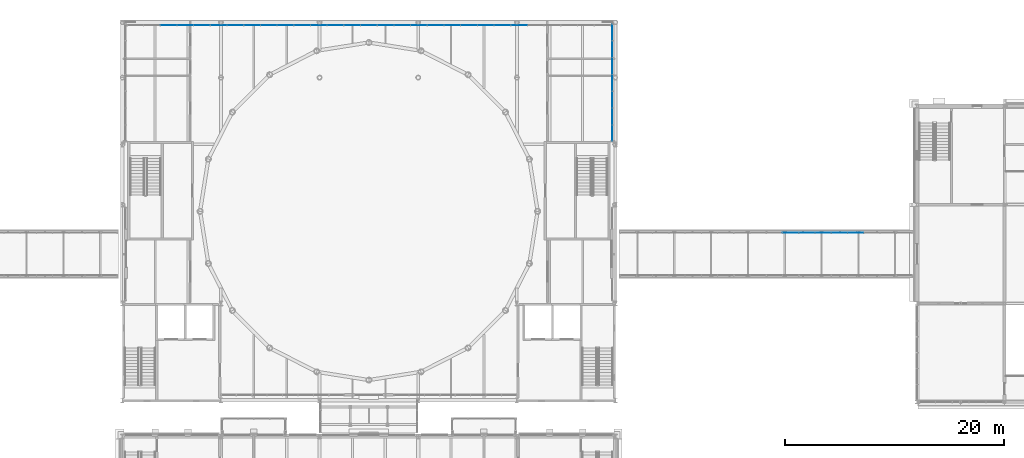
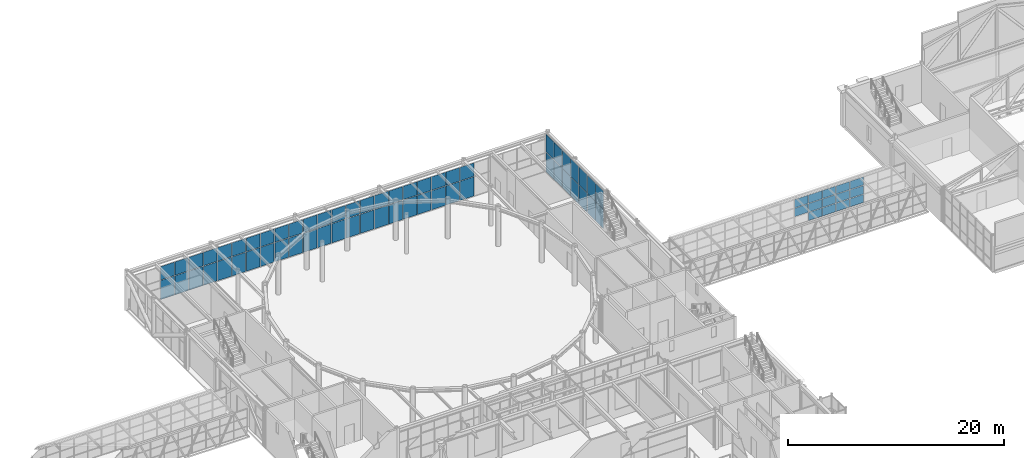
# One storey, part 84 of 149: 72 plates, 3 elements without a shape of their own.
"""IFC4 building model written with IfcOpenShell, lengths in metres."""

from ifc_helpers import new_model, si_unit, direction, frame, origin, origin_2d, place, context, subcontext, project, spatial, rectangle, extrude, material, layer, layer_set, type_object, element, aggregate, save


model = new_model("IFC4")

# Units and contexts
model_context = context("Model", 3, precision=1e-05, world=origin(), true_north=direction((0.0, 1.0)))
body_context = subcontext(model_context, "Body", "Model", "MODEL_VIEW")
ifc_project = project(units=[si_unit("LENGTHUNIT", "METRE"), si_unit("AREAUNIT", "SQUARE_METRE"), si_unit("VOLUMEUNIT", "CUBIC_METRE"), si_unit("PLANEANGLEUNIT", "RADIAN"), si_unit("MASSUNIT", "GRAM", prefix="KILO")], contexts=[model_context])

# Site, building, storey
site_placement = place(None, origin())
site = spatial("IfcSite", under=ifc_project, at=site_placement, CompositionType="ELEMENT")
building_placement = place(site_placement, origin())
building = spatial("IfcBuilding", under=site, at=building_placement, Name="Kallimachos Central Library", CompositionType="ELEMENT")
storey_placement = place(building_placement, frame((0.0, 0.0, 9.89990234375)))
storey = spatial("IfcBuildingStorey", under=building, at=storey_placement, Name="L02", CompositionType="ELEMENT", Elevation=9.89990234375)

# Curtain wall, plates
ifc_material_1 = material(Name="Anodised aluminium and laminated glass", Category="aluminium")
ifc_layer_1 = layer(ifc_material_1, 0.159912109375)
ifc_layer_set_1 = layer_set([ifc_layer_1], Name="Glass box curtain wall")
curtain_wall_type_1 = type_object("IfcCurtainWallType", Name="Glass box curtain wall", PredefinedType="NOTDEFINED", material=ifc_layer_set_1)
curtain_wall_1_placement = place(storey_placement, origin())
curtain_wall_1 = element("IfcCurtainWall", 1, at=curtain_wall_1_placement, inside=storey, type_object=curtain_wall_type_1, Name="Glass box curtain wall E L02", PredefinedType="NOTDEFINED")
ifc_material_2 = material(Name="Laminated glass", Category="glass")
ifc_layer_2 = layer(ifc_material_2, 0.028076171875)
ifc_layer_set_2 = layer_set([ifc_layer_2], Name="Laminated glass panel 28")
plate_type = type_object("IfcPlateType", Name="Laminated glass panel 28", PredefinedType="CURTAIN_PANEL", material=ifc_layer_set_2)
plate_1_placement = place(storey_placement, frame((110.199951171875, 111.532958984375, 0.06005859375), z_axis=(0.0, 0.0, 1.0), x_axis=(0.0, 1.0, 0.0)))
plate_1 = element("IfcPlate", 2, at=plate_1_placement, type_object=plate_type, Name="CW19 panel 1.1", PredefinedType="CURTAIN_PANEL", context=body_context, shape_type="SweptSolid", body=[
    extrude(rectangle(XDim=1.44580078125, YDim=0.028076171875, at=origin_2d()), origin(), (0.0, 0.0, 1.0), 2.159912109375),
])
plate_2_placement = place(storey_placement, frame((110.199951171875, 111.532958984375, 2.2802734375), z_axis=(0.0, 0.0, 1.0), x_axis=(0.0, 1.0, 0.0)))
plate_2 = element("IfcPlate", 3, at=plate_2_placement, type_object=plate_type, Name="CW19 panel 1.2", PredefinedType="CURTAIN_PANEL", context=body_context, shape_type="SweptSolid", body=[
    extrude(rectangle(XDim=1.44580078125, YDim=0.028076171875, at=origin_2d()), origin(), (0.0, 0.0, 1.0), 2.010009765625),
])
plate_3_placement = place(storey_placement, frame((110.199951171875, 113.053466796875, 0.06005859375), z_axis=(0.0, 0.0, 1.0), x_axis=(0.0, 1.0, 0.0)))
plate_3 = element("IfcPlate", 4, at=plate_3_placement, type_object=plate_type, Name="CW19 panel 2.1", PredefinedType="CURTAIN_PANEL", context=body_context, shape_type="SweptSolid", body=[
    extrude(rectangle(XDim=1.475830078125, YDim=0.028076171875, at=origin_2d()), origin(), (0.0, 0.0, 1.0), 2.159912109375),
])
plate_4_placement = place(storey_placement, frame((110.199951171875, 113.053466796875, 2.2802734375), z_axis=(0.0, 0.0, 1.0), x_axis=(0.0, 1.0, 0.0)))
plate_4 = element("IfcPlate", 5, at=plate_4_placement, type_object=plate_type, Name="CW19 panel 2.2", PredefinedType="CURTAIN_PANEL", context=body_context, shape_type="SweptSolid", body=[
    extrude(rectangle(XDim=1.475830078125, YDim=0.028076171875, at=origin_2d()), origin(), (0.0, 0.0, 1.0), 2.010009765625),
])
plate_5_placement = place(storey_placement, frame((110.199951171875, 114.58935546875, 0.06005859375), z_axis=(0.0, 0.0, 1.0), x_axis=(0.0, 1.0, 0.0)))
plate_5 = element("IfcPlate", 6, at=plate_5_placement, type_object=plate_type, Name="CW19 panel 3.1", PredefinedType="CURTAIN_PANEL", context=body_context, shape_type="SweptSolid", body=[
    extrude(rectangle(XDim=1.475830078125, YDim=0.028076171875, at=origin_2d()), origin(), (0.0, 0.0, 1.0), 2.159912109375),
])
plate_6_placement = place(storey_placement, frame((110.199951171875, 114.58935546875, 2.2802734375), z_axis=(0.0, 0.0, 1.0), x_axis=(0.0, 1.0, 0.0)))
plate_6 = element("IfcPlate", 7, at=plate_6_placement, type_object=plate_type, Name="CW19 panel 3.2", PredefinedType="CURTAIN_PANEL", context=body_context, shape_type="SweptSolid", body=[
    extrude(rectangle(XDim=1.475830078125, YDim=0.028076171875, at=origin_2d()), origin(), (0.0, 0.0, 1.0), 2.010009765625),
])
plate_7_placement = place(storey_placement, frame((110.199951171875, 116.125, 0.06005859375), z_axis=(0.0, 0.0, 1.0), x_axis=(0.0, 1.0, 0.0)))
plate_7 = element("IfcPlate", 8, at=plate_7_placement, type_object=plate_type, Name="CW19 panel 4.1", PredefinedType="CURTAIN_PANEL", context=body_context, shape_type="SweptSolid", body=[
    extrude(rectangle(XDim=1.475830078125, YDim=0.028076171875, at=origin_2d()), origin(), (0.0, 0.0, 1.0), 2.159912109375),
])
plate_8_placement = place(storey_placement, frame((110.199951171875, 116.125, 2.2802734375), z_axis=(0.0, 0.0, 1.0), x_axis=(0.0, 1.0, 0.0)))
plate_8 = element("IfcPlate", 9, at=plate_8_placement, type_object=plate_type, Name="CW19 panel 4.2", PredefinedType="CURTAIN_PANEL", context=body_context, shape_type="SweptSolid", body=[
    extrude(rectangle(XDim=1.475830078125, YDim=0.028076171875, at=origin_2d()), origin(), (0.0, 0.0, 1.0), 2.010009765625),
])
plate_9_placement = place(storey_placement, frame((110.199951171875, 117.66064453125, 0.06005859375), z_axis=(0.0, 0.0, 1.0), x_axis=(0.0, 1.0, 0.0)))
plate_9 = element("IfcPlate", 10, at=plate_9_placement, type_object=plate_type, Name="CW19 panel 5.1", PredefinedType="CURTAIN_PANEL", context=body_context, shape_type="SweptSolid", body=[
    extrude(rectangle(XDim=1.475830078125, YDim=0.028076171875, at=origin_2d()), origin(), (0.0, 0.0, 1.0), 2.159912109375),
])
plate_10_placement = place(storey_placement, frame((110.199951171875, 117.66064453125, 2.2802734375), z_axis=(0.0, 0.0, 1.0), x_axis=(0.0, 1.0, 0.0)))
plate_10 = element("IfcPlate", 11, at=plate_10_placement, type_object=plate_type, Name="CW19 panel 5.2", PredefinedType="CURTAIN_PANEL", context=body_context, shape_type="SweptSolid", body=[
    extrude(rectangle(XDim=1.475830078125, YDim=0.028076171875, at=origin_2d()), origin(), (0.0, 0.0, 1.0), 2.010009765625),
])
plate_11_placement = place(storey_placement, frame((110.199951171875, 119.196533203125, 0.06005859375), z_axis=(0.0, 0.0, 1.0), x_axis=(0.0, 1.0, 0.0)))
plate_11 = element("IfcPlate", 12, at=plate_11_placement, type_object=plate_type, Name="CW19 panel 6.1", PredefinedType="CURTAIN_PANEL", context=body_context, shape_type="SweptSolid", body=[
    extrude(rectangle(XDim=1.475830078125, YDim=0.028076171875, at=origin_2d()), origin(), (0.0, 0.0, 1.0), 2.159912109375),
])
plate_12_placement = place(storey_placement, frame((110.199951171875, 119.196533203125, 2.2802734375), z_axis=(0.0, 0.0, 1.0), x_axis=(0.0, 1.0, 0.0)))
plate_12 = element("IfcPlate", 13, at=plate_12_placement, type_object=plate_type, Name="CW19 panel 6.2", PredefinedType="CURTAIN_PANEL", context=body_context, shape_type="SweptSolid", body=[
    extrude(rectangle(XDim=1.475830078125, YDim=0.028076171875, at=origin_2d()), origin(), (0.0, 0.0, 1.0), 2.010009765625),
])
plate_13_placement = place(storey_placement, frame((110.199951171875, 120.717041015625, 0.06005859375), z_axis=(0.0, 0.0, 1.0), x_axis=(0.0, 1.0, 0.0)))
plate_13 = element("IfcPlate", 14, at=plate_13_placement, type_object=plate_type, Name="CW19 panel 7.1", PredefinedType="CURTAIN_PANEL", context=body_context, shape_type="SweptSolid", body=[
    extrude(rectangle(XDim=1.44580078125, YDim=0.028076171875, at=origin_2d()), origin(), (0.0, 0.0, 1.0), 2.159912109375),
])
plate_14_placement = place(storey_placement, frame((110.199951171875, 120.717041015625, 2.2802734375), z_axis=(0.0, 0.0, 1.0), x_axis=(0.0, 1.0, 0.0)))
plate_14 = element("IfcPlate", 15, at=plate_14_placement, type_object=plate_type, Name="CW19 panel 7.2", PredefinedType="CURTAIN_PANEL", context=body_context, shape_type="SweptSolid", body=[
    extrude(rectangle(XDim=1.44580078125, YDim=0.028076171875, at=origin_2d()), origin(), (0.0, 0.0, 1.0), 2.010009765625),
])
aggregate(curtain_wall_1, [plate_1, plate_2, plate_3, plate_4, plate_5, plate_6, plate_7, plate_8, plate_9, plate_10, plate_11, plate_12, plate_13, plate_14])

curtain_wall_2_placement = place(storey_placement, origin())
curtain_wall_2 = element("IfcCurtainWall", 16, at=curtain_wall_2_placement, inside=storey, type_object=curtain_wall_type_1, Name="Glass box curtain wall N L02", PredefinedType="NOTDEFINED")
plate_15_placement = place(storey_placement, frame((69.726806640625, 121.3798828125, 0.06005859375), z_axis=(0.0, 0.0, 1.0), x_axis=(1.0, 0.0, 0.0)))
plate_15 = element("IfcPlate", 17, at=plate_15_placement, type_object=plate_type, Name="CW20 panel 3.1", PredefinedType="CURTAIN_PANEL", context=body_context, shape_type="SweptSolid", body=[
    extrude(rectangle(XDim=1.462646484375, YDim=0.028076171875, at=origin_2d()), origin(), (0.0, 0.0, 1.0), 2.159912109375),
])
plate_16_placement = place(storey_placement, frame((69.726806640625, 121.3798828125, 2.2802734375), z_axis=(0.0, 0.0, 1.0), x_axis=(1.0, 0.0, 0.0)))
plate_16 = element("IfcPlate", 18, at=plate_16_placement, type_object=plate_type, Name="CW20 panel 3.2", PredefinedType="CURTAIN_PANEL", context=body_context, shape_type="SweptSolid", body=[
    extrude(rectangle(XDim=1.462646484375, YDim=0.028076171875, at=origin_2d()), origin(), (0.0, 0.0, 1.0), 1.510009765625),
])
plate_17_placement = place(storey_placement, frame((71.249755859375, 121.3798828125, 0.06005859375), z_axis=(0.0, 0.0, 1.0), x_axis=(1.0, 0.0, 0.0)))
plate_17 = element("IfcPlate", 19, at=plate_17_placement, type_object=plate_type, Name="CW20 panel 4.1", PredefinedType="CURTAIN_PANEL", context=body_context, shape_type="SweptSolid", body=[
    extrude(rectangle(XDim=1.462646484375, YDim=0.028076171875, at=origin_2d()), origin(), (0.0, 0.0, 1.0), 2.159912109375),
])
plate_18_placement = place(storey_placement, frame((71.249755859375, 121.3798828125, 2.2802734375), z_axis=(0.0, 0.0, 1.0), x_axis=(1.0, 0.0, 0.0)))
plate_18 = element("IfcPlate", 20, at=plate_18_placement, type_object=plate_type, Name="CW20 panel 4.2", PredefinedType="CURTAIN_PANEL", context=body_context, shape_type="SweptSolid", body=[
    extrude(rectangle(XDim=1.462646484375, YDim=0.028076171875, at=origin_2d()), origin(), (0.0, 0.0, 1.0), 1.510009765625),
])
plate_19_placement = place(storey_placement, frame((72.7724609375, 121.3798828125, 0.06005859375), z_axis=(0.0, 0.0, 1.0), x_axis=(1.0, 0.0, 0.0)))
plate_19 = element("IfcPlate", 21, at=plate_19_placement, type_object=plate_type, Name="CW20 panel 5.1", PredefinedType="CURTAIN_PANEL", context=body_context, shape_type="SweptSolid", body=[
    extrude(rectangle(XDim=1.462646484375, YDim=0.028076171875, at=origin_2d()), origin(), (0.0, 0.0, 1.0), 2.159912109375),
])
plate_20_placement = place(storey_placement, frame((72.7724609375, 121.3798828125, 2.2802734375), z_axis=(0.0, 0.0, 1.0), x_axis=(1.0, 0.0, 0.0)))
plate_20 = element("IfcPlate", 22, at=plate_20_placement, type_object=plate_type, Name="CW20 panel 5.2", PredefinedType="CURTAIN_PANEL", context=body_context, shape_type="SweptSolid", body=[
    extrude(rectangle(XDim=1.462646484375, YDim=0.028076171875, at=origin_2d()), origin(), (0.0, 0.0, 1.0), 1.510009765625),
])
plate_21_placement = place(storey_placement, frame((74.295166015625, 121.3798828125, 0.06005859375), z_axis=(0.0, 0.0, 1.0), x_axis=(1.0, 0.0, 0.0)))
plate_21 = element("IfcPlate", 23, at=plate_21_placement, type_object=plate_type, Name="CW20 panel 6.1", PredefinedType="CURTAIN_PANEL", context=body_context, shape_type="SweptSolid", body=[
    extrude(rectangle(XDim=1.462646484375, YDim=0.028076171875, at=origin_2d()), origin(), (0.0, 0.0, 1.0), 2.159912109375),
])
plate_22_placement = place(storey_placement, frame((74.295166015625, 121.3798828125, 2.2802734375), z_axis=(0.0, 0.0, 1.0), x_axis=(1.0, 0.0, 0.0)))
plate_22 = element("IfcPlate", 24, at=plate_22_placement, type_object=plate_type, Name="CW20 panel 6.2", PredefinedType="CURTAIN_PANEL", context=body_context, shape_type="SweptSolid", body=[
    extrude(rectangle(XDim=1.462646484375, YDim=0.028076171875, at=origin_2d()), origin(), (0.0, 0.0, 1.0), 1.510009765625),
])
plate_23_placement = place(storey_placement, frame((75.81787109375, 121.3798828125, 0.06005859375), z_axis=(0.0, 0.0, 1.0), x_axis=(1.0, 0.0, 0.0)))
plate_23 = element("IfcPlate", 25, at=plate_23_placement, type_object=plate_type, Name="CW20 panel 7.1", PredefinedType="CURTAIN_PANEL", context=body_context, shape_type="SweptSolid", body=[
    extrude(rectangle(XDim=1.462646484375, YDim=0.028076171875, at=origin_2d()), origin(), (0.0, 0.0, 1.0), 2.159912109375),
])
plate_24_placement = place(storey_placement, frame((75.81787109375, 121.3798828125, 2.2802734375), z_axis=(0.0, 0.0, 1.0), x_axis=(1.0, 0.0, 0.0)))
plate_24 = element("IfcPlate", 26, at=plate_24_placement, type_object=plate_type, Name="CW20 panel 7.2", PredefinedType="CURTAIN_PANEL", context=body_context, shape_type="SweptSolid", body=[
    extrude(rectangle(XDim=1.462646484375, YDim=0.028076171875, at=origin_2d()), origin(), (0.0, 0.0, 1.0), 1.510009765625),
])
plate_25_placement = place(storey_placement, frame((77.340576171875, 121.3798828125, 0.06005859375), z_axis=(0.0, 0.0, 1.0), x_axis=(1.0, 0.0, 0.0)))
plate_25 = element("IfcPlate", 27, at=plate_25_placement, type_object=plate_type, Name="CW20 panel 8.1", PredefinedType="CURTAIN_PANEL", context=body_context, shape_type="SweptSolid", body=[
    extrude(rectangle(XDim=1.462646484375, YDim=0.028076171875, at=origin_2d()), origin(), (0.0, 0.0, 1.0), 2.159912109375),
])
plate_26_placement = place(storey_placement, frame((77.340576171875, 121.3798828125, 2.2802734375), z_axis=(0.0, 0.0, 1.0), x_axis=(1.0, 0.0, 0.0)))
plate_26 = element("IfcPlate", 28, at=plate_26_placement, type_object=plate_type, Name="CW20 panel 8.2", PredefinedType="CURTAIN_PANEL", context=body_context, shape_type="SweptSolid", body=[
    extrude(rectangle(XDim=1.462646484375, YDim=0.028076171875, at=origin_2d()), origin(), (0.0, 0.0, 1.0), 1.510009765625),
])
plate_27_placement = place(storey_placement, frame((78.863525390625, 121.3798828125, 0.06005859375), z_axis=(0.0, 0.0, 1.0), x_axis=(1.0, 0.0, 0.0)))
plate_27 = element("IfcPlate", 29, at=plate_27_placement, type_object=plate_type, Name="CW20 panel 9.1", PredefinedType="CURTAIN_PANEL", context=body_context, shape_type="SweptSolid", body=[
    extrude(rectangle(XDim=1.462646484375, YDim=0.028076171875, at=origin_2d()), origin(), (0.0, 0.0, 1.0), 2.159912109375),
])
plate_28_placement = place(storey_placement, frame((78.863525390625, 121.3798828125, 2.2802734375), z_axis=(0.0, 0.0, 1.0), x_axis=(1.0, 0.0, 0.0)))
plate_28 = element("IfcPlate", 30, at=plate_28_placement, type_object=plate_type, Name="CW20 panel 9.2", PredefinedType="CURTAIN_PANEL", context=body_context, shape_type="SweptSolid", body=[
    extrude(rectangle(XDim=1.462646484375, YDim=0.028076171875, at=origin_2d()), origin(), (0.0, 0.0, 1.0), 1.510009765625),
])
plate_29_placement = place(storey_placement, frame((80.38623046875, 121.3798828125, 0.06005859375), z_axis=(0.0, 0.0, 1.0), x_axis=(1.0, 0.0, 0.0)))
plate_29 = element("IfcPlate", 31, at=plate_29_placement, type_object=plate_type, Name="CW20 panel 10.1", PredefinedType="CURTAIN_PANEL", context=body_context, shape_type="SweptSolid", body=[
    extrude(rectangle(XDim=1.462646484375, YDim=0.028076171875, at=origin_2d()), origin(), (0.0, 0.0, 1.0), 2.159912109375),
])
plate_30_placement = place(storey_placement, frame((80.38623046875, 121.3798828125, 2.2802734375), z_axis=(0.0, 0.0, 1.0), x_axis=(1.0, 0.0, 0.0)))
plate_30 = element("IfcPlate", 32, at=plate_30_placement, type_object=plate_type, Name="CW20 panel 10.2", PredefinedType="CURTAIN_PANEL", context=body_context, shape_type="SweptSolid", body=[
    extrude(rectangle(XDim=1.462646484375, YDim=0.028076171875, at=origin_2d()), origin(), (0.0, 0.0, 1.0), 1.510009765625),
])
plate_31_placement = place(storey_placement, frame((81.908935546875, 121.3798828125, 0.06005859375), z_axis=(0.0, 0.0, 1.0), x_axis=(1.0, 0.0, 0.0)))
plate_31 = element("IfcPlate", 33, at=plate_31_placement, type_object=plate_type, Name="CW20 panel 11.1", PredefinedType="CURTAIN_PANEL", context=body_context, shape_type="SweptSolid", body=[
    extrude(rectangle(XDim=1.462646484375, YDim=0.028076171875, at=origin_2d()), origin(), (0.0, 0.0, 1.0), 2.159912109375),
])
plate_32_placement = place(storey_placement, frame((81.908935546875, 121.3798828125, 2.2802734375), z_axis=(0.0, 0.0, 1.0), x_axis=(1.0, 0.0, 0.0)))
plate_32 = element("IfcPlate", 34, at=plate_32_placement, type_object=plate_type, Name="CW20 panel 11.2", PredefinedType="CURTAIN_PANEL", context=body_context, shape_type="SweptSolid", body=[
    extrude(rectangle(XDim=1.462646484375, YDim=0.028076171875, at=origin_2d()), origin(), (0.0, 0.0, 1.0), 1.510009765625),
])
plate_33_placement = place(storey_placement, frame((83.431640625, 121.3798828125, 0.06005859375), z_axis=(0.0, 0.0, 1.0), x_axis=(1.0, 0.0, 0.0)))
plate_33 = element("IfcPlate", 35, at=plate_33_placement, type_object=plate_type, Name="CW20 panel 12.1", PredefinedType="CURTAIN_PANEL", context=body_context, shape_type="SweptSolid", body=[
    extrude(rectangle(XDim=1.462646484375, YDim=0.028076171875, at=origin_2d()), origin(), (0.0, 0.0, 1.0), 2.159912109375),
])
plate_34_placement = place(storey_placement, frame((83.431640625, 121.3798828125, 2.2802734375), z_axis=(0.0, 0.0, 1.0), x_axis=(1.0, 0.0, 0.0)))
plate_34 = element("IfcPlate", 36, at=plate_34_placement, type_object=plate_type, Name="CW20 panel 12.2", PredefinedType="CURTAIN_PANEL", context=body_context, shape_type="SweptSolid", body=[
    extrude(rectangle(XDim=1.462646484375, YDim=0.028076171875, at=origin_2d()), origin(), (0.0, 0.0, 1.0), 1.510009765625),
])
plate_35_placement = place(storey_placement, frame((84.95458984375, 121.3798828125, 0.06005859375), z_axis=(0.0, 0.0, 1.0), x_axis=(1.0, 0.0, 0.0)))
plate_35 = element("IfcPlate", 37, at=plate_35_placement, type_object=plate_type, Name="CW20 panel 13.1", PredefinedType="CURTAIN_PANEL", context=body_context, shape_type="SweptSolid", body=[
    extrude(rectangle(XDim=1.462646484375, YDim=0.028076171875, at=origin_2d()), origin(), (0.0, 0.0, 1.0), 2.159912109375),
])
plate_36_placement = place(storey_placement, frame((84.95458984375, 121.3798828125, 2.2802734375), z_axis=(0.0, 0.0, 1.0), x_axis=(1.0, 0.0, 0.0)))
plate_36 = element("IfcPlate", 38, at=plate_36_placement, type_object=plate_type, Name="CW20 panel 13.2", PredefinedType="CURTAIN_PANEL", context=body_context, shape_type="SweptSolid", body=[
    extrude(rectangle(XDim=1.462646484375, YDim=0.028076171875, at=origin_2d()), origin(), (0.0, 0.0, 1.0), 1.510009765625),
])
plate_37_placement = place(storey_placement, frame((86.477294921875, 121.3798828125, 0.06005859375), z_axis=(0.0, 0.0, 1.0), x_axis=(1.0, 0.0, 0.0)))
plate_37 = element("IfcPlate", 39, at=plate_37_placement, type_object=plate_type, Name="CW20 panel 14.1", PredefinedType="CURTAIN_PANEL", context=body_context, shape_type="SweptSolid", body=[
    extrude(rectangle(XDim=1.462646484375, YDim=0.028076171875, at=origin_2d()), origin(), (0.0, 0.0, 1.0), 2.159912109375),
])
plate_38_placement = place(storey_placement, frame((86.477294921875, 121.3798828125, 2.2802734375), z_axis=(0.0, 0.0, 1.0), x_axis=(1.0, 0.0, 0.0)))
plate_38 = element("IfcPlate", 40, at=plate_38_placement, type_object=plate_type, Name="CW20 panel 14.2", PredefinedType="CURTAIN_PANEL", context=body_context, shape_type="SweptSolid", body=[
    extrude(rectangle(XDim=1.462646484375, YDim=0.028076171875, at=origin_2d()), origin(), (0.0, 0.0, 1.0), 1.510009765625),
])
plate_39_placement = place(storey_placement, frame((88.0, 121.3798828125, 0.06005859375), z_axis=(0.0, 0.0, 1.0), x_axis=(1.0, 0.0, 0.0)))
plate_39 = element("IfcPlate", 41, at=plate_39_placement, type_object=plate_type, Name="CW20 panel 15.1", PredefinedType="CURTAIN_PANEL", context=body_context, shape_type="SweptSolid", body=[
    extrude(rectangle(XDim=1.462646484375, YDim=0.028076171875, at=origin_2d()), origin(), (0.0, 0.0, 1.0), 2.159912109375),
])
plate_40_placement = place(storey_placement, frame((88.0, 121.3798828125, 2.2802734375), z_axis=(0.0, 0.0, 1.0), x_axis=(1.0, 0.0, 0.0)))
plate_40 = element("IfcPlate", 42, at=plate_40_placement, type_object=plate_type, Name="CW20 panel 15.2", PredefinedType="CURTAIN_PANEL", context=body_context, shape_type="SweptSolid", body=[
    extrude(rectangle(XDim=1.462646484375, YDim=0.028076171875, at=origin_2d()), origin(), (0.0, 0.0, 1.0), 1.510009765625),
])
plate_41_placement = place(storey_placement, frame((89.522705078125, 121.3798828125, 0.06005859375), z_axis=(0.0, 0.0, 1.0), x_axis=(1.0, 0.0, 0.0)))
plate_41 = element("IfcPlate", 43, at=plate_41_placement, type_object=plate_type, Name="CW20 panel 16.1", PredefinedType="CURTAIN_PANEL", context=body_context, shape_type="SweptSolid", body=[
    extrude(rectangle(XDim=1.462646484375, YDim=0.028076171875, at=origin_2d()), origin(), (0.0, 0.0, 1.0), 2.159912109375),
])
plate_42_placement = place(storey_placement, frame((89.522705078125, 121.3798828125, 2.2802734375), z_axis=(0.0, 0.0, 1.0), x_axis=(1.0, 0.0, 0.0)))
plate_42 = element("IfcPlate", 44, at=plate_42_placement, type_object=plate_type, Name="CW20 panel 16.2", PredefinedType="CURTAIN_PANEL", context=body_context, shape_type="SweptSolid", body=[
    extrude(rectangle(XDim=1.462646484375, YDim=0.028076171875, at=origin_2d()), origin(), (0.0, 0.0, 1.0), 1.510009765625),
])
plate_43_placement = place(storey_placement, frame((91.04541015625, 121.3798828125, 0.06005859375), z_axis=(0.0, 0.0, 1.0), x_axis=(1.0, 0.0, 0.0)))
plate_43 = element("IfcPlate", 45, at=plate_43_placement, type_object=plate_type, Name="CW20 panel 17.1", PredefinedType="CURTAIN_PANEL", context=body_context, shape_type="SweptSolid", body=[
    extrude(rectangle(XDim=1.462646484375, YDim=0.028076171875, at=origin_2d()), origin(), (0.0, 0.0, 1.0), 2.159912109375),
])
plate_44_placement = place(storey_placement, frame((91.04541015625, 121.3798828125, 2.2802734375), z_axis=(0.0, 0.0, 1.0), x_axis=(1.0, 0.0, 0.0)))
plate_44 = element("IfcPlate", 46, at=plate_44_placement, type_object=plate_type, Name="CW20 panel 17.2", PredefinedType="CURTAIN_PANEL", context=body_context, shape_type="SweptSolid", body=[
    extrude(rectangle(XDim=1.462646484375, YDim=0.028076171875, at=origin_2d()), origin(), (0.0, 0.0, 1.0), 1.510009765625),
])
plate_45_placement = place(storey_placement, frame((92.568359375, 121.3798828125, 0.06005859375), z_axis=(0.0, 0.0, 1.0), x_axis=(1.0, 0.0, 0.0)))
plate_45 = element("IfcPlate", 47, at=plate_45_placement, type_object=plate_type, Name="CW20 panel 18.1", PredefinedType="CURTAIN_PANEL", context=body_context, shape_type="SweptSolid", body=[
    extrude(rectangle(XDim=1.462646484375, YDim=0.028076171875, at=origin_2d()), origin(), (0.0, 0.0, 1.0), 2.159912109375),
])
plate_46_placement = place(storey_placement, frame((92.568359375, 121.3798828125, 2.2802734375), z_axis=(0.0, 0.0, 1.0), x_axis=(1.0, 0.0, 0.0)))
plate_46 = element("IfcPlate", 48, at=plate_46_placement, type_object=plate_type, Name="CW20 panel 18.2", PredefinedType="CURTAIN_PANEL", context=body_context, shape_type="SweptSolid", body=[
    extrude(rectangle(XDim=1.462646484375, YDim=0.028076171875, at=origin_2d()), origin(), (0.0, 0.0, 1.0), 1.510009765625),
])
plate_47_placement = place(storey_placement, frame((94.091064453125, 121.3798828125, 0.06005859375), z_axis=(0.0, 0.0, 1.0), x_axis=(1.0, 0.0, 0.0)))
plate_47 = element("IfcPlate", 49, at=plate_47_placement, type_object=plate_type, Name="CW20 panel 19.1", PredefinedType="CURTAIN_PANEL", context=body_context, shape_type="SweptSolid", body=[
    extrude(rectangle(XDim=1.462646484375, YDim=0.028076171875, at=origin_2d()), origin(), (0.0, 0.0, 1.0), 2.159912109375),
])
plate_48_placement = place(storey_placement, frame((94.091064453125, 121.3798828125, 2.2802734375), z_axis=(0.0, 0.0, 1.0), x_axis=(1.0, 0.0, 0.0)))
plate_48 = element("IfcPlate", 50, at=plate_48_placement, type_object=plate_type, Name="CW20 panel 19.2", PredefinedType="CURTAIN_PANEL", context=body_context, shape_type="SweptSolid", body=[
    extrude(rectangle(XDim=1.462646484375, YDim=0.028076171875, at=origin_2d()), origin(), (0.0, 0.0, 1.0), 1.510009765625),
])
plate_49_placement = place(storey_placement, frame((95.61376953125, 121.3798828125, 0.06005859375), z_axis=(0.0, 0.0, 1.0), x_axis=(1.0, 0.0, 0.0)))
plate_49 = element("IfcPlate", 51, at=plate_49_placement, type_object=plate_type, Name="CW20 panel 20.1", PredefinedType="CURTAIN_PANEL", context=body_context, shape_type="SweptSolid", body=[
    extrude(rectangle(XDim=1.462646484375, YDim=0.028076171875, at=origin_2d()), origin(), (0.0, 0.0, 1.0), 2.159912109375),
])
plate_50_placement = place(storey_placement, frame((95.61376953125, 121.3798828125, 2.2802734375), z_axis=(0.0, 0.0, 1.0), x_axis=(1.0, 0.0, 0.0)))
plate_50 = element("IfcPlate", 52, at=plate_50_placement, type_object=plate_type, Name="CW20 panel 20.2", PredefinedType="CURTAIN_PANEL", context=body_context, shape_type="SweptSolid", body=[
    extrude(rectangle(XDim=1.462646484375, YDim=0.028076171875, at=origin_2d()), origin(), (0.0, 0.0, 1.0), 1.510009765625),
])
plate_51_placement = place(storey_placement, frame((97.136474609375, 121.3798828125, 0.06005859375), z_axis=(0.0, 0.0, 1.0), x_axis=(1.0, 0.0, 0.0)))
plate_51 = element("IfcPlate", 53, at=plate_51_placement, type_object=plate_type, Name="CW20 panel 21.1", PredefinedType="CURTAIN_PANEL", context=body_context, shape_type="SweptSolid", body=[
    extrude(rectangle(XDim=1.462646484375, YDim=0.028076171875, at=origin_2d()), origin(), (0.0, 0.0, 1.0), 2.159912109375),
])
plate_52_placement = place(storey_placement, frame((97.136474609375, 121.3798828125, 2.2802734375), z_axis=(0.0, 0.0, 1.0), x_axis=(1.0, 0.0, 0.0)))
plate_52 = element("IfcPlate", 54, at=plate_52_placement, type_object=plate_type, Name="CW20 panel 21.2", PredefinedType="CURTAIN_PANEL", context=body_context, shape_type="SweptSolid", body=[
    extrude(rectangle(XDim=1.462646484375, YDim=0.028076171875, at=origin_2d()), origin(), (0.0, 0.0, 1.0), 1.510009765625),
])
plate_53_placement = place(storey_placement, frame((98.659423828125, 121.3798828125, 0.06005859375), z_axis=(0.0, 0.0, 1.0), x_axis=(1.0, 0.0, 0.0)))
plate_53 = element("IfcPlate", 55, at=plate_53_placement, type_object=plate_type, Name="CW20 panel 22.1", PredefinedType="CURTAIN_PANEL", context=body_context, shape_type="SweptSolid", body=[
    extrude(rectangle(XDim=1.462646484375, YDim=0.028076171875, at=origin_2d()), origin(), (0.0, 0.0, 1.0), 2.159912109375),
])
plate_54_placement = place(storey_placement, frame((98.659423828125, 121.3798828125, 2.2802734375), z_axis=(0.0, 0.0, 1.0), x_axis=(1.0, 0.0, 0.0)))
plate_54 = element("IfcPlate", 56, at=plate_54_placement, type_object=plate_type, Name="CW20 panel 22.2", PredefinedType="CURTAIN_PANEL", context=body_context, shape_type="SweptSolid", body=[
    extrude(rectangle(XDim=1.462646484375, YDim=0.028076171875, at=origin_2d()), origin(), (0.0, 0.0, 1.0), 1.510009765625),
])
plate_55_placement = place(storey_placement, frame((100.18212890625, 121.3798828125, 0.06005859375), z_axis=(0.0, 0.0, 1.0), x_axis=(1.0, 0.0, 0.0)))
plate_55 = element("IfcPlate", 57, at=plate_55_placement, type_object=plate_type, Name="CW20 panel 23.1", PredefinedType="CURTAIN_PANEL", context=body_context, shape_type="SweptSolid", body=[
    extrude(rectangle(XDim=1.462646484375, YDim=0.028076171875, at=origin_2d()), origin(), (0.0, 0.0, 1.0), 2.159912109375),
])
plate_56_placement = place(storey_placement, frame((100.18212890625, 121.3798828125, 2.2802734375), z_axis=(0.0, 0.0, 1.0), x_axis=(1.0, 0.0, 0.0)))
plate_56 = element("IfcPlate", 58, at=plate_56_placement, type_object=plate_type, Name="CW20 panel 23.2", PredefinedType="CURTAIN_PANEL", context=body_context, shape_type="SweptSolid", body=[
    extrude(rectangle(XDim=1.462646484375, YDim=0.028076171875, at=origin_2d()), origin(), (0.0, 0.0, 1.0), 1.510009765625),
])
plate_57_placement = place(storey_placement, frame((101.704833984375, 121.3798828125, 0.06005859375), z_axis=(0.0, 0.0, 1.0), x_axis=(1.0, 0.0, 0.0)))
plate_57 = element("IfcPlate", 59, at=plate_57_placement, type_object=plate_type, Name="CW20 panel 24.1", PredefinedType="CURTAIN_PANEL", context=body_context, shape_type="SweptSolid", body=[
    extrude(rectangle(XDim=1.462646484375, YDim=0.028076171875, at=origin_2d()), origin(), (0.0, 0.0, 1.0), 2.159912109375),
])
plate_58_placement = place(storey_placement, frame((101.704833984375, 121.3798828125, 2.2802734375), z_axis=(0.0, 0.0, 1.0), x_axis=(1.0, 0.0, 0.0)))
plate_58 = element("IfcPlate", 60, at=plate_58_placement, type_object=plate_type, Name="CW20 panel 24.2", PredefinedType="CURTAIN_PANEL", context=body_context, shape_type="SweptSolid", body=[
    extrude(rectangle(XDim=1.462646484375, YDim=0.028076171875, at=origin_2d()), origin(), (0.0, 0.0, 1.0), 1.510009765625),
])
aggregate(curtain_wall_2, [plate_15, plate_16, plate_17, plate_18, plate_19, plate_20, plate_21, plate_22, plate_23, plate_24, plate_25, plate_26, plate_27, plate_28, plate_29, plate_30, plate_31, plate_32, plate_33, plate_34, plate_35, plate_36, plate_37, plate_38, plate_39, plate_40, plate_41, plate_42, plate_43, plate_44, plate_45, plate_46, plate_47, plate_48, plate_49, plate_50, plate_51, plate_52, plate_53, plate_54, plate_55, plate_56, plate_57, plate_58])

ifc_material_3 = material(Name="Aluminium and laminated glass", Category="aluminium")
curtain_wall_type_2 = type_object("IfcCurtainWallType", Name="Link glazed wall", PredefinedType="NOTDEFINED", material=ifc_material_3)
curtain_wall_3_placement = place(storey_placement, origin())
curtain_wall_3 = element("IfcCurtainWall", 61, at=curtain_wall_3_placement, inside=storey, type_object=curtain_wall_type_2, Name="V1 to V3 bridge glazed side", PredefinedType="NOTDEFINED")
plate_59_placement = place(storey_placement, frame((126.4853515625, 102.449951171875, 1.030029296875), z_axis=(0.0, 0.0, 1.0), x_axis=(1.0, 0.0, 0.0)))
plate_59 = element("IfcPlate", 62, at=plate_59_placement, type_object=plate_type, Name="CW75 panel 11.2", PredefinedType="CURTAIN_PANEL", context=body_context, shape_type="SweptSolid", body=[
    extrude(rectangle(XDim=1.421875, YDim=0.028076171875, at=origin_2d()), origin(), (0.0, 0.0, 1.0), 0.93994140625),
])
plate_60_placement = place(storey_placement, frame((126.4853515625, 102.449951171875, 2.0302734375), z_axis=(0.0, 0.0, 1.0), x_axis=(1.0, 0.0, 0.0)))
plate_60 = element("IfcPlate", 63, at=plate_60_placement, type_object=plate_type, Name="CW75 panel 11.3", PredefinedType="CURTAIN_PANEL", context=body_context, shape_type="SweptSolid", body=[
    extrude(rectangle(XDim=1.421875, YDim=0.028076171875, at=origin_2d()), origin(), (0.0, 0.0, 1.0), 0.909912109375),
])
plate_61_placement = place(storey_placement, frame((127.96728515625, 102.449951171875, 0.06005859375), z_axis=(0.0, 0.0, 1.0), x_axis=(1.0, 0.0, 0.0)))
plate_61 = element("IfcPlate", 64, at=plate_61_placement, type_object=plate_type, Name="CW75 panel 12.1", PredefinedType="CURTAIN_PANEL", context=body_context, shape_type="SweptSolid", body=[
    extrude(rectangle(XDim=1.421875, YDim=0.028076171875, at=origin_2d()), origin(), (0.0, 0.0, 1.0), 0.909912109375),
])
plate_62_placement = place(storey_placement, frame((127.96728515625, 102.449951171875, 1.030029296875), z_axis=(0.0, 0.0, 1.0), x_axis=(1.0, 0.0, 0.0)))
plate_62 = element("IfcPlate", 65, at=plate_62_placement, type_object=plate_type, Name="CW75 panel 12.2", PredefinedType="CURTAIN_PANEL", context=body_context, shape_type="SweptSolid", body=[
    extrude(rectangle(XDim=1.421875, YDim=0.028076171875, at=origin_2d()), origin(), (0.0, 0.0, 1.0), 0.93994140625),
])
plate_63_placement = place(storey_placement, frame((127.96728515625, 102.449951171875, 2.0302734375), z_axis=(0.0, 0.0, 1.0), x_axis=(1.0, 0.0, 0.0)))
plate_63 = element("IfcPlate", 66, at=plate_63_placement, type_object=plate_type, Name="CW75 panel 12.3", PredefinedType="CURTAIN_PANEL", context=body_context, shape_type="SweptSolid", body=[
    extrude(rectangle(XDim=1.421875, YDim=0.028076171875, at=origin_2d()), origin(), (0.0, 0.0, 1.0), 0.909912109375),
])
plate_64_placement = place(storey_placement, frame((129.44921875, 102.449951171875, 0.06005859375), z_axis=(0.0, 0.0, 1.0), x_axis=(1.0, 0.0, 0.0)))
plate_64 = element("IfcPlate", 67, at=plate_64_placement, type_object=plate_type, Name="CW75 panel 13.1", PredefinedType="CURTAIN_PANEL", context=body_context, shape_type="SweptSolid", body=[
    extrude(rectangle(XDim=1.421875, YDim=0.028076171875, at=origin_2d()), origin(), (0.0, 0.0, 1.0), 0.909912109375),
])
plate_65_placement = place(storey_placement, frame((129.44921875, 102.449951171875, 1.030029296875), z_axis=(0.0, 0.0, 1.0), x_axis=(1.0, 0.0, 0.0)))
plate_65 = element("IfcPlate", 68, at=plate_65_placement, type_object=plate_type, Name="CW75 panel 13.2", PredefinedType="CURTAIN_PANEL", context=body_context, shape_type="SweptSolid", body=[
    extrude(rectangle(XDim=1.421875, YDim=0.028076171875, at=origin_2d()), origin(), (0.0, 0.0, 1.0), 0.93994140625),
])
plate_66_placement = place(storey_placement, frame((129.44921875, 102.449951171875, 2.0302734375), z_axis=(0.0, 0.0, 1.0), x_axis=(1.0, 0.0, 0.0)))
plate_66 = element("IfcPlate", 69, at=plate_66_placement, type_object=plate_type, Name="CW75 panel 13.3", PredefinedType="CURTAIN_PANEL", context=body_context, shape_type="SweptSolid", body=[
    extrude(rectangle(XDim=1.421875, YDim=0.028076171875, at=origin_2d()), origin(), (0.0, 0.0, 1.0), 0.909912109375),
])
plate_67_placement = place(storey_placement, frame((130.93115234375, 102.449951171875, 0.06005859375), z_axis=(0.0, 0.0, 1.0), x_axis=(1.0, 0.0, 0.0)))
plate_67 = element("IfcPlate", 70, at=plate_67_placement, type_object=plate_type, Name="CW75 panel 14.1", PredefinedType="CURTAIN_PANEL", context=body_context, shape_type="SweptSolid", body=[
    extrude(rectangle(XDim=1.421875, YDim=0.028076171875, at=origin_2d()), origin(), (0.0, 0.0, 1.0), 0.909912109375),
])
plate_68_placement = place(storey_placement, frame((130.93115234375, 102.449951171875, 1.030029296875), z_axis=(0.0, 0.0, 1.0), x_axis=(1.0, 0.0, 0.0)))
plate_68 = element("IfcPlate", 71, at=plate_68_placement, type_object=plate_type, Name="CW75 panel 14.2", PredefinedType="CURTAIN_PANEL", context=body_context, shape_type="SweptSolid", body=[
    extrude(rectangle(XDim=1.421875, YDim=0.028076171875, at=origin_2d()), origin(), (0.0, 0.0, 1.0), 0.93994140625),
])
plate_69_placement = place(storey_placement, frame((130.93115234375, 102.449951171875, 2.0302734375), z_axis=(0.0, 0.0, 1.0), x_axis=(1.0, 0.0, 0.0)))
plate_69 = element("IfcPlate", 72, at=plate_69_placement, type_object=plate_type, Name="CW75 panel 14.3", PredefinedType="CURTAIN_PANEL", context=body_context, shape_type="SweptSolid", body=[
    extrude(rectangle(XDim=1.421875, YDim=0.028076171875, at=origin_2d()), origin(), (0.0, 0.0, 1.0), 0.909912109375),
])
plate_70_placement = place(storey_placement, frame((132.4130859375, 102.449951171875, 0.06005859375), z_axis=(0.0, 0.0, 1.0), x_axis=(1.0, 0.0, 0.0)))
plate_70 = element("IfcPlate", 73, at=plate_70_placement, type_object=plate_type, Name="CW75 panel 15.1", PredefinedType="CURTAIN_PANEL", context=body_context, shape_type="SweptSolid", body=[
    extrude(rectangle(XDim=1.421875, YDim=0.028076171875, at=origin_2d()), origin(), (0.0, 0.0, 1.0), 0.909912109375),
])
plate_71_placement = place(storey_placement, frame((132.4130859375, 102.449951171875, 1.030029296875), z_axis=(0.0, 0.0, 1.0), x_axis=(1.0, 0.0, 0.0)))
plate_71 = element("IfcPlate", 74, at=plate_71_placement, type_object=plate_type, Name="CW75 panel 15.2", PredefinedType="CURTAIN_PANEL", context=body_context, shape_type="SweptSolid", body=[
    extrude(rectangle(XDim=1.421875, YDim=0.028076171875, at=origin_2d()), origin(), (0.0, 0.0, 1.0), 0.93994140625),
])
plate_72_placement = place(storey_placement, frame((132.4130859375, 102.449951171875, 2.0302734375), z_axis=(0.0, 0.0, 1.0), x_axis=(1.0, 0.0, 0.0)))
plate_72 = element("IfcPlate", 75, at=plate_72_placement, type_object=plate_type, Name="CW75 panel 15.3", PredefinedType="CURTAIN_PANEL", context=body_context, shape_type="SweptSolid", body=[
    extrude(rectangle(XDim=1.421875, YDim=0.028076171875, at=origin_2d()), origin(), (0.0, 0.0, 1.0), 0.909912109375),
])
aggregate(curtain_wall_3, [plate_59, plate_60, plate_61, plate_62, plate_63, plate_64, plate_65, plate_66, plate_67, plate_68, plate_69, plate_70, plate_71, plate_72])

save(model, "model.ifc")
